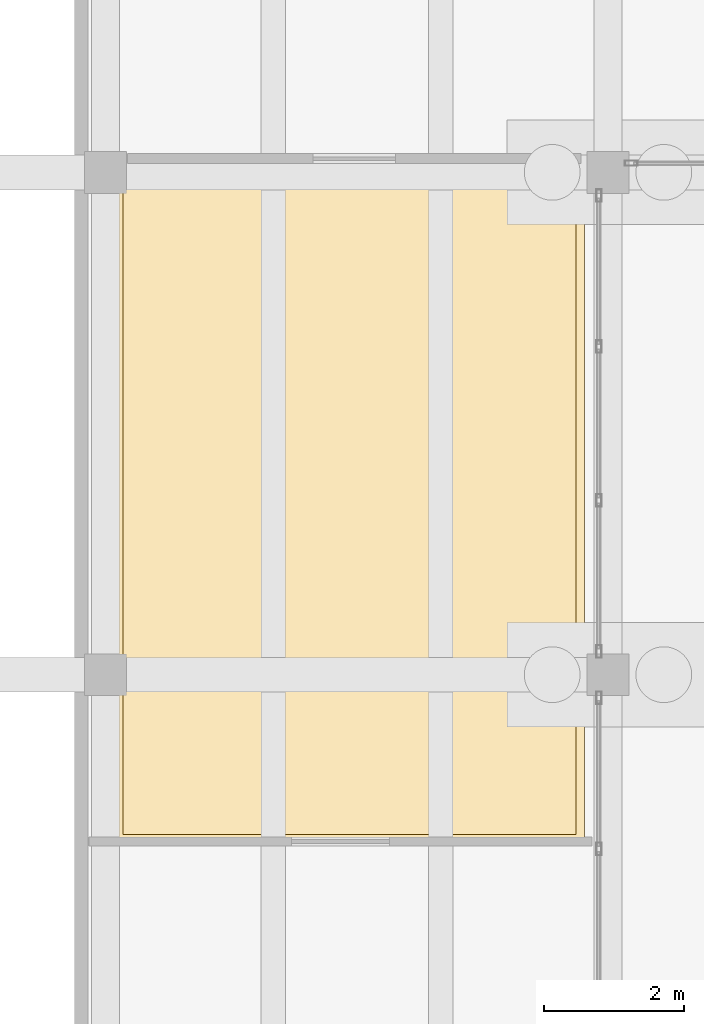
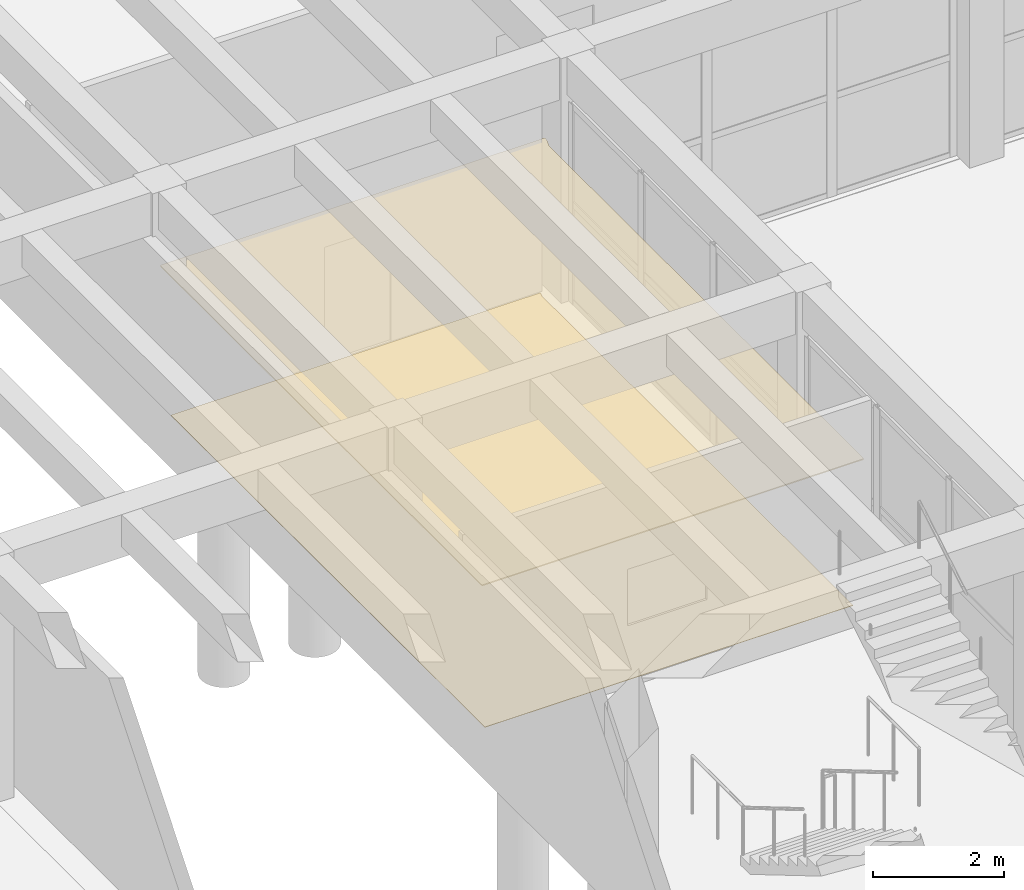
# One storey, part 136 of 155: 2 coverings.
"""IFC4 building model written with IfcOpenShell, lengths in metres."""

from ifc_helpers import new_model, si_unit, direction, frame, origin, place, context, subcontext, project, spatial, polyline, outline, extrude, material, layer, layer_set, type_object, element, save


model = new_model("IFC4")

# Units and contexts
model_context = context("Model", 3, precision=1e-05, world=origin(), true_north=direction((0.0, 1.0)))
body_context = subcontext(model_context, "Body", "Model", "MODEL_VIEW")
ifc_project = project(units=[si_unit("LENGTHUNIT", "METRE"), si_unit("AREAUNIT", "SQUARE_METRE"), si_unit("VOLUMEUNIT", "CUBIC_METRE"), si_unit("PLANEANGLEUNIT", "RADIAN"), si_unit("MASSUNIT", "GRAM", prefix="KILO")], contexts=[model_context])

# Site, building, storey
site_placement = place(None, origin())
site = spatial("IfcSite", under=ifc_project, at=site_placement, CompositionType="ELEMENT")
building_placement = place(site_placement, origin())
building = spatial("IfcBuilding", under=site, at=building_placement, Name="Bramvelor Terrace Health Centre", CompositionType="ELEMENT")
storey_placement = place(building_placement, origin())
storey = spatial("IfcBuildingStorey", under=building, at=storey_placement, Name="L01", CompositionType="ELEMENT", Elevation=0.0)

# Coverings
ifc_material_1 = material(Name="Hygienic mineral-fibre acoustic ceiling", Category="gypsum")
ifc_layer_1 = layer(ifc_material_1, 0.02001953125)
ifc_layer_set_1 = layer_set([ifc_layer_1], Name="Hygienic mineral-fibre acoustic ceiling")
covering_type_1 = type_object("IfcCoveringType", Name="COV-CLG-ACT", PredefinedType="CEILING", material=ifc_layer_set_1)
covering_1_placement = place(storey_placement, frame((0.0, 0.0, 2.75)))
element("IfcCovering", 1, at=covering_1_placement, inside=storey, type_object=covering_type_1, Name="L01 Community Courtyard Health Cafe Acoustic Ceiling", PredefinedType="CEILING", context=body_context, shape_type="SweptSolid", body=[
    extrude(outline(polyline([(50.530029296875, 64.998046875), (50.530029296875, 65.0), (50.530517578125, 65.001953125), (50.531005859375, 65.00390625), (50.531494140625, 65.005615234375), (50.532470703125, 65.00732421875), (50.533447265625, 65.009033203125), (50.534423828125, 65.0107421875), (50.535888671875, 65.01220703125), (50.537353515625, 65.013427734375), (50.538818359375, 65.0146484375), (50.54052734375, 65.015625), (50.542236328125, 65.0166015625), (50.544189453125, 65.01708984375), (50.546142578125, 65.017578125), (50.548095703125, 65.017822265625), (50.550048828125, 65.01806640625), (57.299560546875, 65.01806640625), (57.301513671875, 65.017822265625), (57.303466796875, 65.017578125), (57.305419921875, 65.01708984375), (57.30712890625, 65.0166015625), (57.308837890625, 65.015625), (57.310546875, 65.0146484375), (57.31201171875, 65.013427734375), (57.313720703125, 65.01220703125), (57.31494140625, 65.0107421875), (57.316162109375, 65.009033203125), (57.317138671875, 65.007568359375), (57.31787109375, 65.005615234375), (57.318603515625, 65.00390625), (57.319091796875, 65.001953125), (57.3193359375, 65.0), (57.319580078125, 64.998046875), (57.3193359375, 64.99609375), (57.319091796875, 64.994140625), (57.318603515625, 64.9921875), (57.260009765625, 64.797119140625), (57.260009765625, 55.2099609375), (57.260009765625, 55.2080078125), (57.259521484375, 55.2060546875), (57.259033203125, 55.2041015625), (57.258544921875, 55.202392578125), (57.257568359375, 55.20068359375), (57.256591796875, 55.198974609375), (57.255615234375, 55.197265625), (57.254150390625, 55.19580078125), (57.252685546875, 55.194580078125), (57.251220703125, 55.193359375), (57.24951171875, 55.1923828125), (57.247802734375, 55.19140625), (57.245849609375, 55.19091796875), (57.243896484375, 55.1904296875), (57.241943359375, 55.190185546875), (57.239990234375, 55.18994140625), (50.550048828125, 55.18994140625), (50.548095703125, 55.190185546875), (50.546142578125, 55.1904296875), (50.544189453125, 55.19091796875), (50.542236328125, 55.19140625), (50.54052734375, 55.1923828125), (50.538818359375, 55.193359375), (50.537353515625, 55.194580078125), (50.535888671875, 55.19580078125), (50.534423828125, 55.197265625), (50.533447265625, 55.198974609375), (50.532470703125, 55.20068359375), (50.531494140625, 55.202392578125), (50.531005859375, 55.2041015625), (50.530517578125, 55.2060546875), (50.530029296875, 55.2080078125), (50.530029296875, 55.2099609375), (50.530029296875, 64.998046875)])), origin(), (0.0, 0.0, 1.0), 0.02001953125),
])
ifc_material_2 = material(Name="Seamless antimicrobial clinical vinyl", Category="polymer")
ifc_layer_2 = layer(ifc_material_2, 0.008056640625)
ifc_layer_set_2 = layer_set([ifc_layer_2], Name="Seamless antimicrobial clinical vinyl")
covering_type_2 = type_object("IfcCoveringType", Name="COV-FLR-VNL", PredefinedType="FLOORING", material=ifc_layer_set_2)
covering_2_placement = place(storey_placement, origin())
element("IfcCovering", 2, at=covering_2_placement, inside=storey, type_object=covering_type_2, Name="L01 Community Courtyard Health Cafe Clinical Vinyl Flooring", PredefinedType="FLOORING", context=body_context, shape_type="SweptSolid", body=[
    extrude(outline(polyline([(50.64990234375, 64.89794921875), (57.1650390625, 64.89794921875), (57.144287109375, 64.828857421875), (57.141845703125, 64.8193359375), (57.140380859375, 64.809814453125), (57.139892578125, 64.800048828125), (57.139892578125, 55.31005859375), (50.64990234375, 55.31005859375), (50.64990234375, 64.89794921875)])), origin(), (0.0, 0.0, 1.0), 0.008056640625),
])

save(model, "model.ifc")
